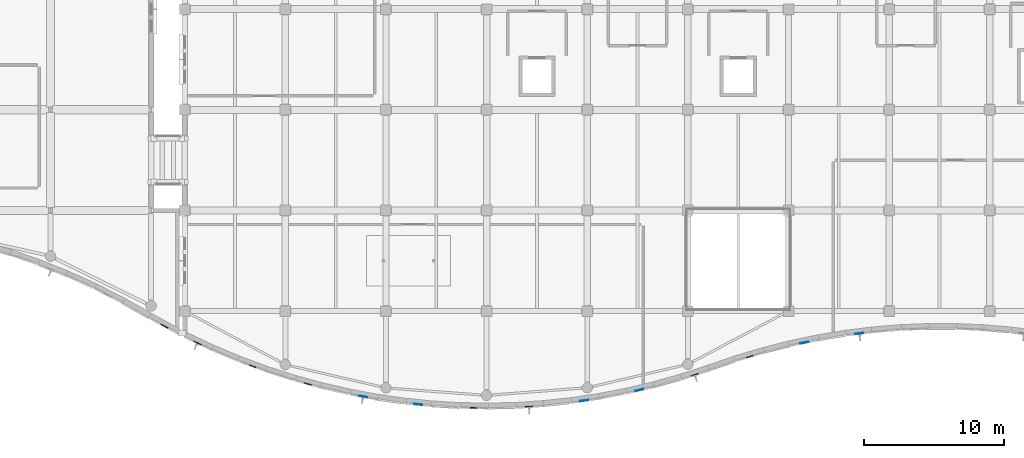
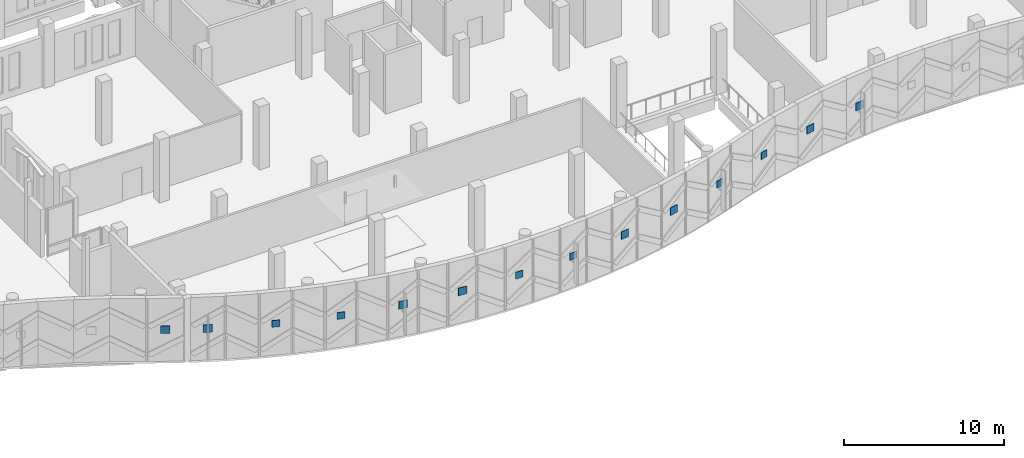
# One storey, part 130 of 193: 14 plates.
"""IFC4 building model written with IfcOpenShell, lengths in metres."""

from ifc_helpers import new_model, si_unit, direction, frame, origin, origin_2d, place, context, subcontext, project, spatial, rectangle, extrude, material, layer, layer_set, type_object, element, save


model = new_model("IFC4")

# Units and contexts
model_context = context("Model", 3, precision=1e-05, world=origin(), true_north=direction((0.0, 1.0)))
body_context = subcontext(model_context, "Body", "Model", "MODEL_VIEW")
ifc_project = project(units=[si_unit("LENGTHUNIT", "METRE"), si_unit("AREAUNIT", "SQUARE_METRE"), si_unit("VOLUMEUNIT", "CUBIC_METRE"), si_unit("PLANEANGLEUNIT", "RADIAN"), si_unit("MASSUNIT", "GRAM", prefix="KILO")], contexts=[model_context])

# Site, building, storey
site_placement = place(None, origin())
site = spatial("IfcSite", under=ifc_project, at=site_placement, CompositionType="ELEMENT")
building_placement = place(site_placement, origin())
building = spatial("IfcBuilding", under=site, at=building_placement, Name="Cendralis Lancet Convention Centre", CompositionType="ELEMENT")
storey_placement = place(building_placement, frame((0.0, 0.0, 10.199951171875)))
storey = spatial("IfcBuildingStorey", under=building, at=storey_placement, Name="L02", CompositionType="ELEMENT", Elevation=10.199951171875)

# Plates
ifc_material_1 = material(Name="Warm buff sandstone chevron cassette", Category="masonry")
ifc_layer_1 = layer(ifc_material_1, 0.044921875, Name="Warm buff sandstone chevron cassette")
ifc_layer_set_1 = layer_set([ifc_layer_1], Name="Warm buff sandstone chevron cassette")
plate_type_1 = type_object("IfcPlateType", Name="ARC-PL-CHV1", PredefinedType="SHEET", material=ifc_layer_set_1)
for number, where, z_axis, x_axis, name in (
    (1, (144.76611328125, 1.0830078125, 2.130126953125), (0.0, 0.0, 1.0), (0.983175298719, -0.182664534019, 0.0), "Chevron Keystone Cassette CHV-S1 #0110"),
    (2, (160.58056640625, 0.791015625, 2.130126953125), (0.0, 0.0, 1.0), (0.989328351891, 0.145703164496, 0.0), "Chevron Keystone Cassette CHV-S1 #0122"),
    (3, (176.345458984375, 4.94091796875, 2.130126953125), (0.0, 0.0, 1.0), (0.978803096128, 0.204803562005, 0.0), "Chevron Keystone Cassette CHV-S1 #0134"),
):
    element("IfcPlate", number, at=place(storey_placement, frame(where, z_axis=z_axis, x_axis=x_axis)), inside=storey, type_object=plate_type_1, Name=name, PredefinedType="SHEET", context=body_context, shape_type="SweptSolid", body=[
        extrude(rectangle(XDim=0.580078125, YDim=0.044921875, at=origin_2d()), origin(), (0.0, 0.0, 1.0), 0.580078125),
    ])
ifc_material_2 = material(Name="Dark Andean slate chevron cassette", Category="masonry")
ifc_layer_2 = layer(ifc_material_2, 0.048095703125, Name="Dark Andean slate chevron cassette")
ifc_layer_set_2 = layer_set([ifc_layer_2], Name="Dark Andean slate chevron cassette")
plate_type_2 = type_object("IfcPlateType", Name="ARC-PL-CHV2", PredefinedType="SHEET", material=ifc_layer_set_2)
for number, where, z_axis, x_axis, name in (
    (4, (130.5390625, 6.131103515625, 2.130126953125), (0.0, 0.0, 1.0), (0.878542143196, -0.477664843409, 0.0), "Chevron Keystone Cassette CHV-D1 #0098"),
    (5, (132.9052734375, 4.92578125, 2.130126953125), (0.0, 0.0, 1.0), (0.903507405674, -0.428572476825, 0.0), "Chevron Keystone Cassette CHV-D1 #0101"),
    (6, (148.719970703125, 0.517822265625, 2.130126953125), (0.0, 0.0, 1.0), (0.994982497445, -0.100049136823, 0.0), "Chevron Keystone Cassette CHV-D1 #0113"),
    (7, (164.53466796875, 1.54443359375, 2.130126953125), (0.0, 0.0, 1.0), (0.973670490342, 0.227960032103, 0.0), "Chevron Keystone Cassette CHV-D1 #0125"),
    (8, (180.269287109375, 5.593017578125, 2.130126953125), (0.0, 0.0, 1.0), (0.992471520713, 0.122475632571, 0.0), "Chevron Keystone Cassette CHV-D1 #0137"),
):
    element("IfcPlate", number, at=place(storey_placement, frame(where, z_axis=z_axis, x_axis=x_axis)), inside=storey, type_object=plate_type_2, Name=name, PredefinedType="SHEET", context=body_context, shape_type="SweptSolid", body=[
        extrude(rectangle(XDim=0.580078125, YDim=0.048095703125, at=origin_2d()), origin(), (0.0, 0.0, 1.0), 0.580078125),
    ])
ifc_layer_3 = layer(ifc_material_1, 0.044921875, Name="Warm buff sandstone chevron cassette")
ifc_layer_set_3 = layer_set([ifc_layer_3], Name="Warm buff sandstone chevron cassette")
plate_type_3 = type_object("IfcPlateType", Name="ARC-PL-CHV3", PredefinedType="SHEET", material=ifc_layer_set_3)
for number, where, z_axis, x_axis, name in (
    (9, (136.85888671875, 3.260986328125, 2.16015625), (0.0, 0.0, 1.0), (0.938155085485, -0.346215302346, 0.0), "Chevron Keystone Cassette CHV-S2 #0104"),
    (10, (152.673583984375, 0.282958984375, 2.16015625), (0.0, 0.0, 1.0), (0.999833042467, -0.018272580285, 0.0), "Chevron Keystone Cassette CHV-S2 #0116"),
    (11, (168.48779296875, 2.650146484375, 2.16015625), (0.0, 0.0, 1.0), (0.950737803638, 0.309996175353, 0.0), "Chevron Keystone Cassette CHV-S2 #0128"),
):
    element("IfcPlate", number, at=place(storey_placement, frame(where, z_axis=z_axis, x_axis=x_axis)), inside=storey, type_object=plate_type_3, Name=name, PredefinedType="SHEET", context=body_context, shape_type="SweptSolid", body=[
        extrude(rectangle(XDim=0.52001953125, YDim=0.044921875, at=origin_2d()), origin(), (0.0, 0.0, 1.0), 0.52001953125),
    ])
ifc_layer_4 = layer(ifc_material_2, 0.048095703125, Name="Dark Andean slate chevron cassette")
ifc_layer_set_4 = layer_set([ifc_layer_4], Name="Dark Andean slate chevron cassette")
plate_type_4 = type_object("IfcPlateType", Name="ARC-PL-CHV4", PredefinedType="SHEET", material=ifc_layer_set_4)
for number, where, z_axis, x_axis, name in (
    (12, (140.8125, 1.990478515625, 2.16015625), (0.0, 0.0, 1.0), (0.964391431746, -0.264479047139, 0.0), "Chevron Keystone Cassette CHV-D2 #0107"),
    (13, (156.627197265625, 0.373291015625, 2.16015625), (0.0, 0.0, 1.0), (0.997959312839, 0.063853033741, 0.0), "Chevron Keystone Cassette CHV-D2 #0119"),
    (14, (172.422607421875, 3.94384765625, 2.16015625), (0.0, 0.0, 1.0), (0.957917734536, 0.287042878088, 0.0), "Chevron Keystone Cassette CHV-D2 #0131"),
):
    element("IfcPlate", number, at=place(storey_placement, frame(where, z_axis=z_axis, x_axis=x_axis)), inside=storey, type_object=plate_type_4, Name=name, PredefinedType="SHEET", context=body_context, shape_type="SweptSolid", body=[
        extrude(rectangle(XDim=0.52001953125, YDim=0.048095703125, at=origin_2d()), origin(), (0.0, 0.0, 1.0), 0.52001953125),
    ])

save(model, "model.ifc")
